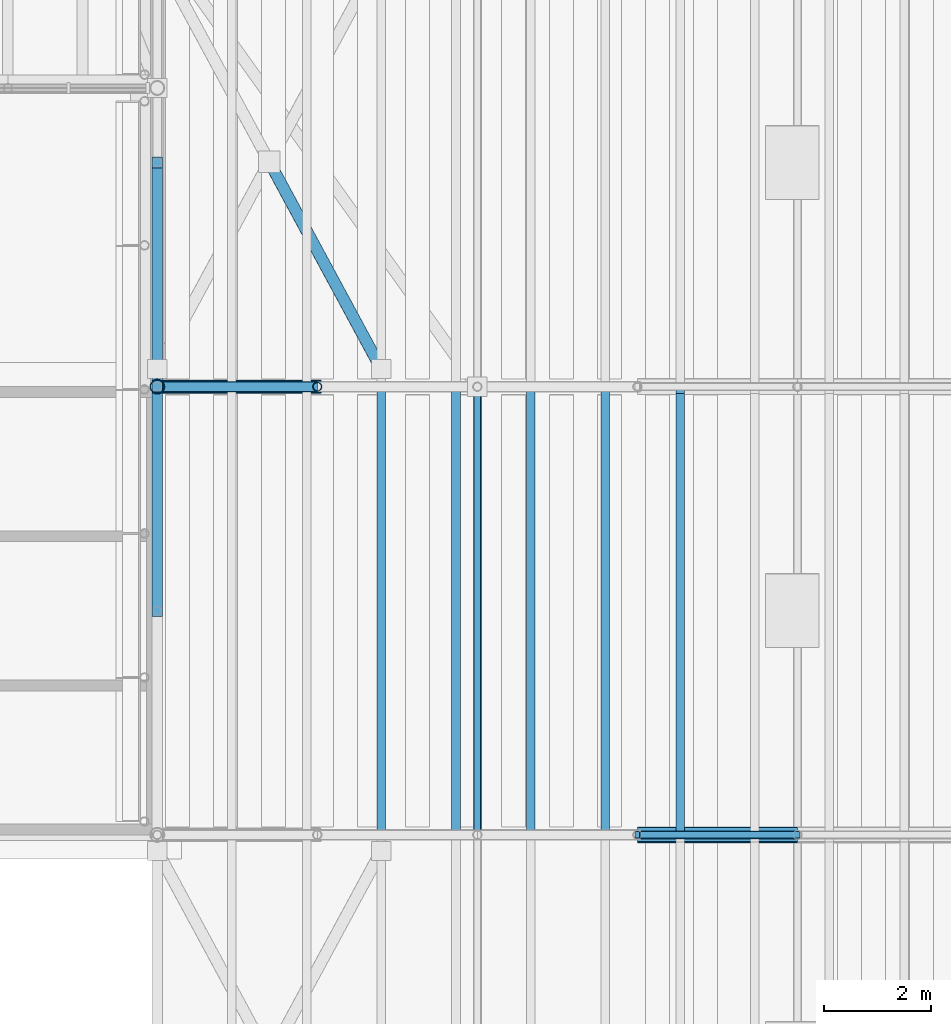
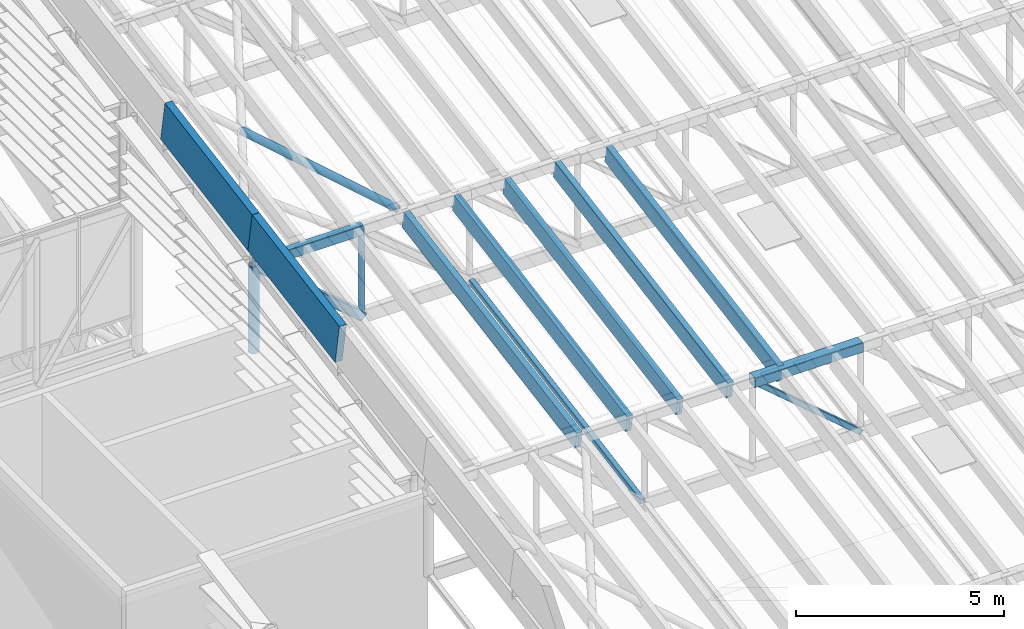
# One storey, part 14 of 91: 13 members, 2 beams.
"""IFC4 building model written with IfcOpenShell, lengths in metres."""

from ifc_helpers import new_model, si_unit, direction, frame, origin, origin_2d, place, context, subcontext, project, spatial, rectangle, hollow_rectangle, hollow_circle, extrude, material, material_profile, profile_set, type_object, element, save


model = new_model("IFC4")

# Units and contexts
model_context = context("Model", 3, precision=1e-05, world=origin(), true_north=direction((0.0, 1.0)))
body_context = subcontext(model_context, "Body", "Model", "MODEL_VIEW")
ifc_project = project(units=[si_unit("LENGTHUNIT", "METRE"), si_unit("AREAUNIT", "SQUARE_METRE"), si_unit("VOLUMEUNIT", "CUBIC_METRE"), si_unit("PLANEANGLEUNIT", "RADIAN"), si_unit("MASSUNIT", "GRAM", prefix="KILO")], contexts=[model_context])

# Site, building, storey
site_placement = place(None, origin())
site = spatial("IfcSite", under=ifc_project, at=site_placement, CompositionType="ELEMENT")
building_placement = place(site_placement, origin())
building = spatial("IfcBuilding", under=site, at=building_placement, Name="Almond Square Museum", CompositionType="ELEMENT")
storey_placement = place(building_placement, frame((0.0, 0.0, 30.0)))
storey = spatial("IfcBuildingStorey", under=building, at=storey_placement, Name="L05", CompositionType="ELEMENT", Elevation=30.0)

# Members
ifc_material_1 = material(Name="Glulam GL28h", Category="wood")
ifc_material_profile_1 = material_profile(ifc_material_1, rectangle(XDim=0.159912109375, YDim=0.5, at=origin_2d()))
ifc_profile_set_1 = profile_set([ifc_material_profile_1], Name="Glulam GL28h")
member_type_1 = type_object("IfcMemberType", Name="Glulam rafter GL28h 160x500", PredefinedType="RAFTER", material=ifc_profile_set_1)
for number, where, z_axis, x_axis, name in (
    (1, (111.0, 67.22998046875, 9.08984375), (0.0, 0.985030957185, 0.172377531562), (-1.0, 0.0, 0.0), "Hall rafter 3.4"),
    (2, (112.39990234375, 67.22998046875, 9.08984375), (0.0, 0.985030957185, 0.172377531562), (-1.0, 0.0, 0.0), "Hall rafter 3.5"),
    (3, (113.800048828125, 67.22998046875, 9.08984375), (0.0, 0.985030957185, 0.172377531562), (-1.0, 0.0, 0.0), "Hall rafter 3.6"),
    (4, (115.199951171875, 67.22998046875, 9.08984375), (0.0, 0.985030957185, 0.172377531562), (-1.0, 0.0, 0.0), "Hall rafter 3.7"),
):
    element("IfcMember", number, at=place(storey_placement, frame(where, z_axis=z_axis, x_axis=x_axis)), inside=storey, type_object=member_type_1, Name=name, PredefinedType="RAFTER", context=body_context, shape_type="SweptSolid", body=[
        extrude(rectangle(XDim=0.159912109375, YDim=0.5, at=origin_2d()), origin(), (0.0, 0.0, 1.0), 8.459716796875),
    ])
member_1_placement = place(storey_placement, frame((116.60009765625, 67.22998046875, 9.08984375), z_axis=(0.0, 0.985027509143, 0.172397233827), x_axis=(-1.0, 0.0, 0.0)))
element("IfcMember", 5, at=member_1_placement, inside=storey, type_object=member_type_1, Name="Hall rafter 3.8", PredefinedType="RAFTER", context=body_context, shape_type="SweptSolid", body=[
    extrude(rectangle(XDim=0.159912109375, YDim=0.5, at=origin_2d()), origin(), (0.0, 0.0, 1.0), 8.4091796875),
])

# Beams
ifc_material_2 = material(Name="Glulam GL28h", Category="wood")
ifc_material_profile_2 = material_profile(ifc_material_2, rectangle(XDim=0.199951171875, YDim=1.199951171875, at=origin_2d()))
ifc_profile_set_2 = profile_set([ifc_material_profile_2], Name="Glulam GL28h")
beam_type = type_object("IfcBeamType", Name="Rake fascia beam GL28h 200x1200", PredefinedType="BEAM", material=ifc_profile_set_2)
beam_1_placement = place(storey_placement, frame((106.800048828125, 71.39990234375, 10.875), z_axis=(0.0, 0.98502755041, 0.17239699804), x_axis=(-1.0, 0.0, 0.0)))
element("IfcBeam", 6, at=beam_1_placement, inside=storey, type_object=beam_type, Name="Gable rake fascia W 6", PredefinedType="BEAM", context=body_context, shape_type="SweptSolid", body=[
    extrude(rectangle(XDim=0.199951171875, YDim=1.199951171875, at=origin_2d()), origin(), (0.0, 0.0, 1.0), 4.26416015625),
])
beam_2_placement = place(storey_placement, frame((106.800048828125, 75.60009765625, 11.610107421875), z_axis=(0.0, 0.98503557112, 0.172351163697), x_axis=(-1.0, 0.0, 0.0)))
element("IfcBeam", 7, at=beam_2_placement, inside=storey, type_object=beam_type, Name="Gable rake fascia W 7", PredefinedType="BEAM", context=body_context, shape_type="SweptSolid", body=[
    extrude(rectangle(XDim=0.199951171875, YDim=1.199951171875, at=origin_2d()), origin(), (0.0, 0.0, 1.0), 4.263671875),
])

# Members
ifc_material_3 = material(Name="Structural steel S355", Category="steel")
ifc_material_profile_3 = material_profile(ifc_material_3, hollow_circle(Radius=0.109619140625, WallThickness=0.010009765625, at=origin_2d()))
ifc_profile_set_3 = profile_set([ifc_material_profile_3], Name="Structural steel S355")
member_type_2 = type_object("IfcMemberType", Name="Roof brace CHS 219.1x10", PredefinedType="BRACE", material=ifc_profile_set_3)
member_2_placement = place(storey_placement, frame((111.0, 75.929931640625, 10.6123046875), z_axis=(-0.46999556541, 0.86945354945, 0.15216666469), x_axis=(-0.879697763355, -0.475533221918, 0.0)))
element("IfcMember", 8, at=member_2_placement, inside=storey, type_object=member_type_2, Name="Hall roof plane brace 4", PredefinedType="BRACE", context=body_context, shape_type="SweptSolid", body=[
    extrude(hollow_circle(Radius=0.109619140625, WallThickness=0.010009765625, at=origin_2d()), origin(), (0.0, 0.0, 1.0), 4.46826171875),
])
ifc_material_4 = material(Name="Structural steel S355", Category="steel")
ifc_material_profile_4 = material_profile(ifc_material_4, hollow_rectangle(XDim=0.199951171875, YDim=0.300048828125, WallThickness=0.010009765625, InnerFilletRadius=0.014892578125, OuterFilletRadius=0.02490234375, at=origin_2d()))
ifc_profile_set_4 = profile_set([ifc_material_profile_4], Name="Structural steel S355")
member_type_3 = type_object("IfcMemberType", Name="Truss chord RHS 300x200x10", PredefinedType="CHORD", material=ifc_profile_set_4)
member_3_placement = place(storey_placement, frame((106.800048828125, 75.60009765625, 10.658447265625), z_axis=(1.0, 0.0, 0.0), x_axis=(0.0, 1.0, 0.0)))
element("IfcMember", 9, at=member_3_placement, inside=storey, type_object=member_type_3, Name="TR-04 top chord 1", PredefinedType="CHORD", context=body_context, shape_type="SweptSolid", body=[
    extrude(hollow_rectangle(XDim=0.199951171875, YDim=0.300048828125, WallThickness=0.010009765625, InnerFilletRadius=0.014892578125, OuterFilletRadius=0.02490234375, at=origin_2d()), origin(), (0.0, 0.0, 1.0), 3.0),
])
ifc_material_5 = material(Name="Structural steel S355", Category="steel")
ifc_material_profile_5 = material_profile(ifc_material_5, hollow_rectangle(XDim=0.300048828125, YDim=0.300048828125, WallThickness=0.012451171875, InnerFilletRadius=0.02490234375, OuterFilletRadius=0.03759765625, at=origin_2d()))
ifc_profile_set_5 = profile_set([ifc_material_profile_5], Name="Structural steel S355")
member_type_4 = type_object("IfcMemberType", Name="Truss chord SHS 300x300x12.5", PredefinedType="CHORD", material=ifc_profile_set_5)
member_4_placement = place(storey_placement, frame((115.800048828125, 67.199951171875, 9.1884765625), z_axis=(1.0, 0.0, 0.0), x_axis=(0.0, 1.0, 0.0)))
element("IfcMember", 10, at=member_4_placement, inside=storey, type_object=member_type_4, Name="TR-03 top chord 4", PredefinedType="CHORD", context=body_context, shape_type="SweptSolid", body=[
    extrude(hollow_rectangle(XDim=0.300048828125, YDim=0.300048828125, WallThickness=0.012451171875, InnerFilletRadius=0.02490234375, OuterFilletRadius=0.03759765625, at=origin_2d()), origin(), (0.0, 0.0, 1.0), 3.0),
])
ifc_material_6 = material(Name="Structural steel S355", Category="steel")
ifc_material_profile_6 = material_profile(ifc_material_6, hollow_rectangle(XDim=0.14990234375, YDim=0.14990234375, WallThickness=0.008056640625, InnerFilletRadius=0.011962890625, OuterFilletRadius=0.02001953125, at=origin_2d()))
ifc_profile_set_6 = profile_set([ifc_material_profile_6], Name="Structural steel S355")
member_type_5 = type_object("IfcMemberType", Name="Truss diagonal SHS 150x150x8", PredefinedType="BRACE", material=ifc_profile_set_6)
member_5_placement = place(storey_placement, frame((115.800048828125, 67.199951171875, 9.1884765625), z_axis=(0.762116801264, 0.0, -0.647439557975), x_axis=(0.0, 1.0, 0.0)))
element("IfcMember", 11, at=member_5_placement, inside=storey, type_object=member_type_5, Name="TR-03 diagonal 4", PredefinedType="BRACE", context=body_context, shape_type="SweptSolid", body=[
    extrude(hollow_rectangle(XDim=0.14990234375, YDim=0.14990234375, WallThickness=0.008056640625, InnerFilletRadius=0.011962890625, OuterFilletRadius=0.02001953125, at=origin_2d()), origin(), (0.0, 0.0, 1.0), 3.9365234375),
])
ifc_material_7 = material(Name="Structural steel S355", Category="steel")
ifc_material_profile_7 = material_profile(ifc_material_7, hollow_rectangle(XDim=0.25, YDim=0.25, WallThickness=0.012451171875, InnerFilletRadius=0.02490234375, OuterFilletRadius=0.03759765625, at=origin_2d()))
ifc_profile_set_7 = profile_set([ifc_material_profile_7], Name="Structural steel S355")
member_type_6 = type_object("IfcMemberType", Name="Truss diagonal SHS 250x250x12.5", PredefinedType="BRACE", material=ifc_profile_set_7)
member_6_placement = place(storey_placement, frame((106.800048828125, 75.60009765625, 10.658447265625), z_axis=(0.762147404437, 0.0, -0.647403532513), x_axis=(0.0, 1.0, 0.0)))
element("IfcMember", 12, at=member_6_placement, inside=storey, type_object=member_type_6, Name="TR-04 diagonal 1", PredefinedType="BRACE", context=body_context, shape_type="SweptSolid", body=[
    extrude(hollow_rectangle(XDim=0.25, YDim=0.25, WallThickness=0.012451171875, InnerFilletRadius=0.02490234375, OuterFilletRadius=0.03759765625, at=origin_2d()), origin(), (0.0, 0.0, 1.0), 3.936279296875),
])
ifc_material_8 = material(Name="Structural steel S355", Category="steel")
ifc_material_profile_8 = material_profile(ifc_material_8, hollow_circle(Radius=0.084228515625, WallThickness=0.008056640625, at=origin_2d()))
ifc_profile_set_8 = profile_set([ifc_material_profile_8], Name="Structural steel S355")
member_type_7 = type_object("IfcMemberType", Name="Truss post CHS 168.3x8", PredefinedType="POST", material=ifc_profile_set_8)
member_7_placement = place(storey_placement, frame((109.800048828125, 75.60009765625, 8.110107421875), z_axis=(0.0, 0.0, 1.0), x_axis=(1.0, 0.0, 0.0)))
element("IfcMember", 13, at=member_7_placement, inside=storey, type_object=member_type_7, Name="TR-04 post 2", PredefinedType="POST", context=body_context, shape_type="SweptSolid", body=[
    extrude(hollow_circle(Radius=0.084228515625, WallThickness=0.008056640625, at=origin_2d()), origin(), (0.0, 0.0, 1.0), 2.54833984375),
])
ifc_material_9 = material(Name="Structural steel S355", Category="steel")
ifc_material_profile_9 = material_profile(ifc_material_9, hollow_circle(Radius=0.136474609375, WallThickness=0.012451171875, at=origin_2d()))
ifc_profile_set_9 = profile_set([ifc_material_profile_9], Name="Structural steel S355")
member_type_8 = type_object("IfcMemberType", Name="Truss post CHS 273x12.5", PredefinedType="POST", material=ifc_profile_set_9)
member_8_placement = place(storey_placement, frame((106.800048828125, 75.60009765625, 8.110107421875), z_axis=(0.0, 0.0, 1.0), x_axis=(1.0, 0.0, 0.0)))
element("IfcMember", 14, at=member_8_placement, inside=storey, type_object=member_type_8, Name="TR-04 post 1", PredefinedType="POST", context=body_context, shape_type="SweptSolid", body=[
    extrude(hollow_circle(Radius=0.136474609375, WallThickness=0.012451171875, at=origin_2d()), origin(), (0.0, 0.0, 1.0), 2.54833984375),
])
ifc_material_10 = material(Name="Structural steel S355", Category="steel")
ifc_material_profile_10 = material_profile(ifc_material_10, hollow_rectangle(XDim=0.14990234375, YDim=0.14990234375, WallThickness=0.008056640625, InnerFilletRadius=0.011962890625, OuterFilletRadius=0.02001953125, at=origin_2d()))
ifc_profile_set_10 = profile_set([ifc_material_profile_10], Name="Structural steel S355")
member_type_9 = type_object("IfcMemberType", Name="Truss tie SHS 150x150x8", PredefinedType="MEMBER", material=ifc_profile_set_10)
member_9_placement = place(storey_placement, frame((112.800048828125, 67.27490234375, 6.639892578125), z_axis=(0.0, 0.984489455239, 0.175443758862), x_axis=(-1.0, 0.0, 0.0)))
element("IfcMember", 15, at=member_9_placement, inside=storey, type_object=member_type_9, Name="Hall bay 3 tie 2", PredefinedType="MEMBER", context=body_context, shape_type="SweptSolid", body=[
    extrude(hollow_rectangle(XDim=0.14990234375, YDim=0.14990234375, WallThickness=0.008056640625, InnerFilletRadius=0.011962890625, OuterFilletRadius=0.02001953125, at=origin_2d()), origin(), (0.0, 0.0, 1.0), 8.3798828125),
])

save(model, "model.ifc")
